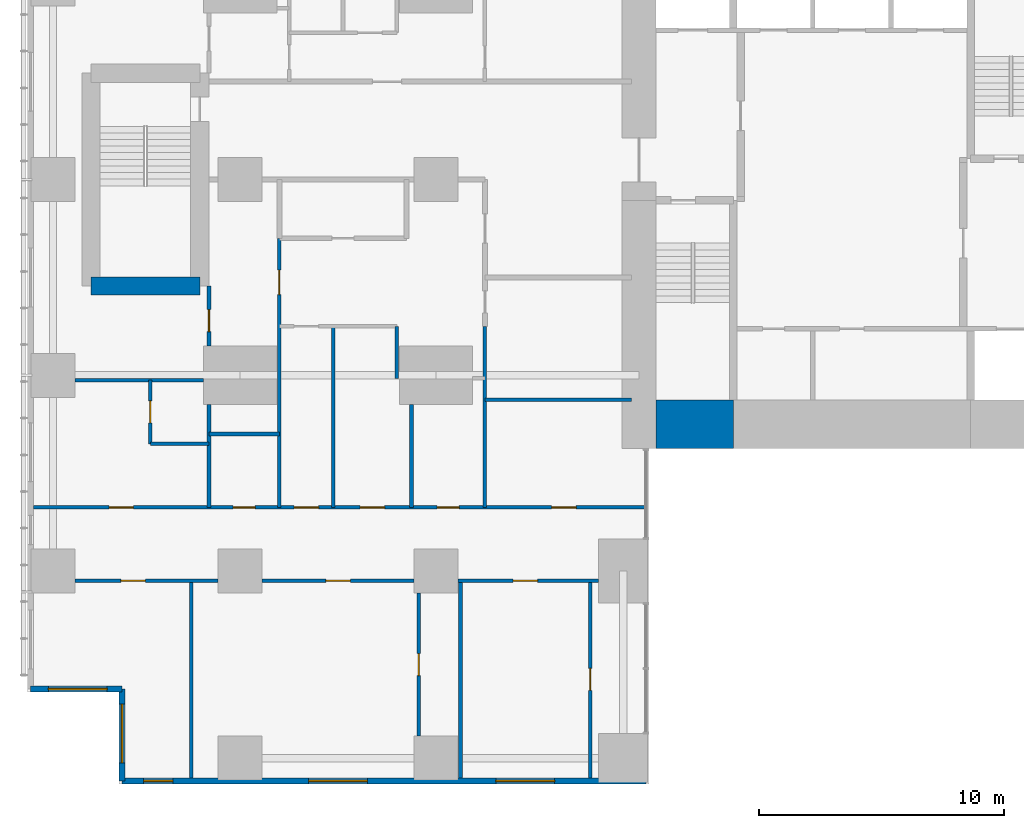
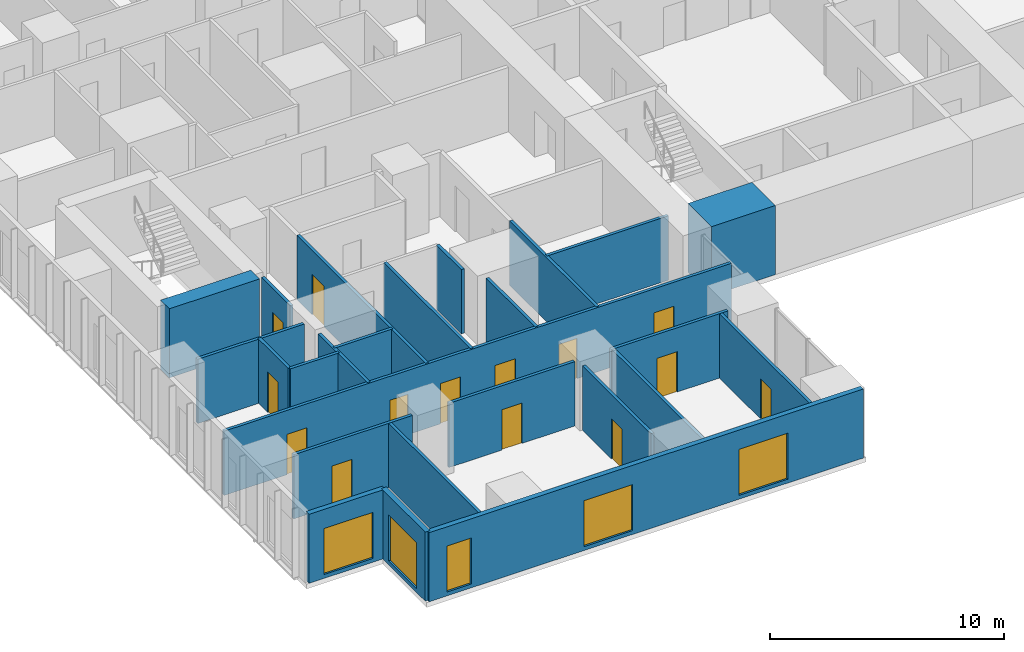
# One storey, part 12 of 20: 25 walls, 14 doors, 5 windows, 19 openings.
"""IFC4 building model written with IfcOpenShell, lengths in metres."""

from ifc_helpers import new_model, si_unit, direction, frame, frame_2d, origin, place, context, subcontext, project, spatial, rectangle, extrude, material, layer, layer_set, type_object, element, fill, save


model = new_model("IFC4")

# Units and contexts
model_context = context("Model", 3, precision=1e-05, world=origin(), true_north=direction((0.0, 1.0)))
body_context = subcontext(model_context, "Body", "Model", "MODEL_VIEW")
ifc_project = project(units=[si_unit("LENGTHUNIT", "METRE"), si_unit("AREAUNIT", "SQUARE_METRE"), si_unit("VOLUMEUNIT", "CUBIC_METRE"), si_unit("PLANEANGLEUNIT", "RADIAN"), si_unit("MASSUNIT", "GRAM", prefix="KILO")], contexts=[model_context])

# Site, building, storey
site_placement = place(None, origin())
site = spatial("IfcSite", under=ifc_project, at=site_placement, CompositionType="ELEMENT")
building_placement = place(site_placement, origin())
building = spatial("IfcBuilding", under=site, at=building_placement, Name="Cleftline Residences", CompositionType="ELEMENT")
storey_placement = place(building_placement, frame((0.0, 0.0, 185.800048828125)))
storey = spatial("IfcBuildingStorey", under=building, at=storey_placement, Name="L48", CompositionType="ELEMENT", Elevation=185.800048828125)

# Wall
ifc_material_1 = material(Name="Concrete B70", Category="concrete")
ifc_layer_1 = layer(ifc_material_1, 2.0)
ifc_layer_set_1 = layer_set([ifc_layer_1], Name="CORE WALL 2000")
wall_type_1 = type_object("IfcWallType", Name="CORE WALL 2000", PredefinedType="SHEAR", material=ifc_layer_set_1)
wall_1_placement = place(storey_placement, frame((25.0, 14.0, 0.0), z_axis=(0.0, 0.0, 1.0), x_axis=(1.0, 0.0, 0.0)))
element("IfcWall", 1, at=wall_1_placement, inside=storey, type_object=wall_type_1, Name="Core wall S1", PredefinedType="SHEAR", context=body_context, shape_type="SweptSolid", body=[
    extrude(rectangle(XDim=3.14990234375, YDim=2.0, at=frame_2d((1.574951171875, 0.0))), origin(), (0.0, 0.0, 1.0), 3.599853515625),
])

# Wall, opening, window
ifc_material_2 = material(Name="Rendered reinforced concrete blockwork", Category="masonry")
ifc_layer_2 = layer(ifc_material_2, 0.25)
ifc_layer_set_2 = layer_set([ifc_layer_2], Name="EXTERNAL WALL 250")
wall_type_2 = type_object("IfcWallType", Name="EXTERNAL WALL 250", PredefinedType="SOLIDWALL", material=ifc_layer_set_2)
wall_2_placement = place(storey_placement, frame((-0.574951171875, 3.175048828125, 0.0), z_axis=(0.0, 0.0, 1.0), x_axis=(1.0, 0.0, 0.0)))
wall_2 = element("IfcWall", 2, at=wall_2_placement, inside=storey, type_object=wall_type_2, Name="External wall", PredefinedType="SOLIDWALL", context=body_context, shape_type="SweptSolid", body=[
    extrude(rectangle(XDim=3.75, YDim=0.25, at=frame_2d((1.875, 0.0))), origin(), (0.0, 0.0, 1.0), 3.599853515625),
])
opening_1_placement = place(wall_2_placement, frame((0.737548828125, 0.0, 0.199951171875)))
opening_1 = element("IfcOpeningElement", 3, at=opening_1_placement, cuts=wall_2, Name="Opening W9", PredefinedType="OPENING", context=body_context, shape_type="SweptSolid", body=[
    extrude(rectangle(XDim=2.39990234375, YDim=2.39990234375, at=frame_2d((1.199951171875, 1.199951171875))), frame((0.0, 0.135009765625, 0.0), z_axis=(0.0, -1.0, 0.0), x_axis=(1.0, 0.0, 0.0)), (0.0, 0.0, 1.0), 0.27001953125),
])
ifc_material_3 = material(Name="Aluminium frame, clear double glazing", Category="aluminium")
window_type_1 = type_object("IfcWindowType", Name="WINDOW 2400X2400", PartitioningType="DOUBLE_PANEL_VERTICAL", PredefinedType="WINDOW", material=ifc_material_3)
window_1_placement = place(opening_1_placement, origin())
window_1 = element("IfcWindow", 4, at=window_1_placement, inside=storey, type_object=window_type_1, Name="Window", OverallHeight=2.39990234375, OverallWidth=2.39990234375, PartitioningType="SINGLE_PANEL", PredefinedType="WINDOW", context=body_context, shape_type="SweptSolid", body=[
    extrude(rectangle(XDim=2.39990234375, YDim=2.39990234375, at=frame_2d((1.199951171875, 1.199951171875))), frame((0.0, 0.030029296875, 0.0), z_axis=(0.0, -1.0, 0.0), x_axis=(1.0, 0.0, 0.0)), (0.0, 0.0, 1.0), 0.06005859375),
])
fill(opening_1, window_1)

wall_3_placement = place(storey_placement, frame((3.175048828125, 3.175048828125, 0.0), z_axis=(0.0, 0.0, 1.0), x_axis=(0.0, -1.0, 0.0)))
wall_3 = element("IfcWall", 5, at=wall_3_placement, inside=storey, type_object=wall_type_2, Name="External wall", PredefinedType="SOLIDWALL", context=body_context, shape_type="SweptSolid", body=[
    extrude(rectangle(XDim=3.75, YDim=0.25, at=frame_2d((1.875, 0.0))), origin(), (0.0, 0.0, 1.0), 3.599853515625),
])
opening_2_placement = place(wall_3_placement, frame((0.612548828125, 0.0, 0.199951171875)))
opening_2 = element("IfcOpeningElement", 6, at=opening_2_placement, cuts=wall_3, Name="Opening W9", PredefinedType="OPENING", context=body_context, shape_type="SweptSolid", body=[
    extrude(rectangle(XDim=2.39990234375, YDim=2.39990234375, at=frame_2d((1.199951171875, 1.199951171875))), frame((0.0, 0.135009765625, 0.0), z_axis=(0.0, -1.0, 0.0), x_axis=(1.0, 0.0, 0.0)), (0.0, 0.0, 1.0), 0.27001953125),
])
window_2_placement = place(opening_2_placement, origin())
window_2 = element("IfcWindow", 7, at=window_2_placement, inside=storey, type_object=window_type_1, Name="Window", OverallHeight=2.39990234375, OverallWidth=2.39990234375, PartitioningType="SINGLE_PANEL", PredefinedType="WINDOW", context=body_context, shape_type="SweptSolid", body=[
    extrude(rectangle(XDim=2.39990234375, YDim=2.39990234375, at=frame_2d((1.199951171875, 1.199951171875))), frame((0.0, 0.030029296875, 0.0), z_axis=(0.0, -1.0, 0.0), x_axis=(1.0, 0.0, 0.0)), (0.0, 0.0, 1.0), 0.06005859375),
])
fill(opening_2, window_2)

# Wall, openings, windows
wall_4_placement = place(storey_placement, frame((3.175048828125, -0.574951171875, 0.0), z_axis=(0.0, 0.0, 1.0), x_axis=(1.0, 0.0, 0.0)))
wall_4 = element("IfcWall", 8, at=wall_4_placement, inside=storey, type_object=wall_type_2, Name="External wall", PredefinedType="SOLIDWALL", context=body_context, shape_type="SweptSolid", body=[
    extrude(rectangle(XDim=21.39990234375, YDim=0.25, at=frame_2d((10.699951171875, 0.0))), origin(), (0.0, 0.0, 1.0), 3.599853515625),
])
opening_3_placement = place(wall_4_placement, frame((0.875, 0.0, 0.199951171875)))
opening_3 = element("IfcOpeningElement", 9, at=opening_3_placement, cuts=wall_4, Name="Opening W13", PredefinedType="OPENING", context=body_context, shape_type="SweptSolid", body=[
    extrude(rectangle(XDim=1.199951171875, YDim=2.39990234375, at=frame_2d((0.60009765625, 1.199951171875))), frame((0.0, 0.135009765625, 0.0), z_axis=(0.0, -1.0, 0.0), x_axis=(1.0, 0.0, 0.0)), (0.0, 0.0, 1.0), 0.27001953125),
])
opening_4_placement = place(wall_4_placement, frame((7.625, 0.0, 0.199951171875)))
opening_4 = element("IfcOpeningElement", 10, at=opening_4_placement, cuts=wall_4, Name="Opening W9", PredefinedType="OPENING", context=body_context, shape_type="SweptSolid", body=[
    extrude(rectangle(XDim=2.39990234375, YDim=2.39990234375, at=frame_2d((1.199951171875, 1.199951171875))), frame((0.0, 0.135009765625, 0.0), z_axis=(0.0, -1.0, 0.0), x_axis=(1.0, 0.0, 0.0)), (0.0, 0.0, 1.0), 0.27001953125),
])
opening_5_placement = place(wall_4_placement, frame((15.27490234375, 0.0, 0.199951171875)))
opening_5 = element("IfcOpeningElement", 11, at=opening_5_placement, cuts=wall_4, Name="Opening W9", PredefinedType="OPENING", context=body_context, shape_type="SweptSolid", body=[
    extrude(rectangle(XDim=2.39990234375, YDim=2.39990234375, at=frame_2d((1.199951171875, 1.199951171875))), frame((0.0, 0.135009765625, 0.0), z_axis=(0.0, -1.0, 0.0), x_axis=(1.0, 0.0, 0.0)), (0.0, 0.0, 1.0), 0.27001953125),
])
ifc_material_4 = material(Name="Aluminium frame, clear double glazing", Category="aluminium")
window_type_2 = type_object("IfcWindowType", Name="WINDOW 1200X2400", PartitioningType="DOUBLE_PANEL_VERTICAL", PredefinedType="WINDOW", material=ifc_material_4)
window_3_placement = place(opening_3_placement, origin())
window_3 = element("IfcWindow", 12, at=window_3_placement, inside=storey, type_object=window_type_2, Name="Window", OverallHeight=2.39990234375, OverallWidth=1.199951171875, PartitioningType="SINGLE_PANEL", PredefinedType="WINDOW", context=body_context, shape_type="SweptSolid", body=[
    extrude(rectangle(XDim=1.199951171875, YDim=2.39990234375, at=frame_2d((0.60009765625, 1.199951171875))), frame((0.0, 0.030029296875, 0.0), z_axis=(0.0, -1.0, 0.0), x_axis=(1.0, 0.0, 0.0)), (0.0, 0.0, 1.0), 0.06005859375),
])
fill(opening_3, window_3)
window_4_placement = place(opening_4_placement, origin())
window_4 = element("IfcWindow", 13, at=window_4_placement, inside=storey, type_object=window_type_1, Name="Window", OverallHeight=2.39990234375, OverallWidth=2.39990234375, PartitioningType="SINGLE_PANEL", PredefinedType="WINDOW", context=body_context, shape_type="SweptSolid", body=[
    extrude(rectangle(XDim=2.39990234375, YDim=2.39990234375, at=frame_2d((1.199951171875, 1.199951171875))), frame((0.0, 0.030029296875, 0.0), z_axis=(0.0, -1.0, 0.0), x_axis=(1.0, 0.0, 0.0)), (0.0, 0.0, 1.0), 0.06005859375),
])
fill(opening_4, window_4)
window_5_placement = place(opening_5_placement, origin())
window_5 = element("IfcWindow", 14, at=window_5_placement, inside=storey, type_object=window_type_1, Name="Window", OverallHeight=2.39990234375, OverallWidth=2.39990234375, PartitioningType="SINGLE_PANEL", PredefinedType="WINDOW", context=body_context, shape_type="SweptSolid", body=[
    extrude(rectangle(XDim=2.39990234375, YDim=2.39990234375, at=frame_2d((1.199951171875, 1.199951171875))), frame((0.0, 0.030029296875, 0.0), z_axis=(0.0, -1.0, 0.0), x_axis=(1.0, 0.0, 0.0)), (0.0, 0.0, 1.0), 0.06005859375),
])
fill(opening_5, window_5)

# Wall, opening, door
ifc_material_5 = material(Name="Gypsum board on steel studs", Category="steel")
ifc_layer_3 = layer(ifc_material_5, 0.14990234375)
ifc_layer_set_3 = layer_set([ifc_layer_3], Name="PARTITION 150")
wall_type_3 = type_object("IfcWallType", Name="PARTITION 150", PredefinedType="PARTITIONING", material=ifc_layer_set_3)
wall_5_placement = place(storey_placement, frame((1.25, 7.60009765625, 0.0), z_axis=(0.0, 0.0, 1.0), x_axis=(1.0, 0.0, 0.0)))
wall_5 = element("IfcWall", 15, at=wall_5_placement, inside=storey, type_object=wall_type_3, Name="Partition", PredefinedType="PARTITIONING", context=body_context, shape_type="SweptSolid", body=[
    extrude(rectangle(XDim=5.85009765625, YDim=0.14990234375, at=frame_2d((2.925048828125, 0.0))), origin(), (0.0, 0.0, 1.0), 3.349853515625),
])
opening_6_placement = place(wall_5_placement, frame((1.875, 0.0, 0.0)))
opening_6 = element("IfcOpeningElement", 16, at=opening_6_placement, cuts=wall_5, Name="Opening D2", PredefinedType="OPENING", context=body_context, shape_type="SweptSolid", body=[
    extrude(rectangle(XDim=1.0, YDim=2.10009765625, at=frame_2d((0.5, 1.050048828125))), frame((0.0, 0.0849609375, 0.0), z_axis=(0.0, -1.0, 0.0), x_axis=(1.0, 0.0, 0.0)), (0.0, 0.0, 1.0), 0.169921875),
])
ifc_material_6 = material(Name="Timber veneer on solid core", Category="wood")
door_type_1 = type_object("IfcDoorType", Name="DOOR 1000X2100", OperationType="SINGLE_SWING_LEFT", PredefinedType="DOOR", material=ifc_material_6)
door_1_placement = place(opening_6_placement, origin())
door_1 = element("IfcDoor", 17, at=door_1_placement, inside=storey, type_object=door_type_1, Name="Door to winter garden", OperationType="SINGLE_SWING_RIGHT", OverallHeight=2.10009765625, OverallWidth=1.0, PredefinedType="DOOR", context=body_context, shape_type="SweptSolid", body=[
    extrude(rectangle(XDim=1.0, YDim=2.10009765625, at=frame_2d((0.5, 1.050048828125))), frame((0.0, 0.02490234375, 0.0), z_axis=(0.0, -1.0, 0.0), x_axis=(1.0, 0.0, 0.0)), (0.0, 0.0, 1.0), 0.050048828125),
])
fill(opening_6, door_1)

wall_6_placement = place(storey_placement, frame((8.89990234375, 7.60009765625, 0.0), z_axis=(0.0, 0.0, 1.0), x_axis=(1.0, 0.0, 0.0)))
wall_6 = element("IfcWall", 18, at=wall_6_placement, inside=storey, type_object=wall_type_3, Name="Partition", PredefinedType="PARTITIONING", context=body_context, shape_type="SweptSolid", body=[
    extrude(rectangle(XDim=6.2001953125, YDim=0.14990234375, at=frame_2d((3.10009765625, 0.0))), origin(), (0.0, 0.0, 1.0), 3.349853515625),
])
opening_7_placement = place(wall_6_placement, frame((2.60009765625, 0.0, 0.0)))
opening_7 = element("IfcOpeningElement", 19, at=opening_7_placement, cuts=wall_6, Name="Opening D2", PredefinedType="OPENING", context=body_context, shape_type="SweptSolid", body=[
    extrude(rectangle(XDim=1.0, YDim=2.10009765625, at=frame_2d((0.5, 1.050048828125))), frame((0.0, 0.0849609375, 0.0), z_axis=(0.0, -1.0, 0.0), x_axis=(1.0, 0.0, 0.0)), (0.0, 0.0, 1.0), 0.169921875),
])
door_2_placement = place(opening_7_placement, origin())
door_2 = element("IfcDoor", 20, at=door_2_placement, inside=storey, type_object=door_type_1, Name="Door to great room", OperationType="SINGLE_SWING_LEFT", OverallHeight=2.10009765625, OverallWidth=1.0, PredefinedType="DOOR", context=body_context, shape_type="SweptSolid", body=[
    extrude(rectangle(XDim=1.0, YDim=2.10009765625, at=frame_2d((0.5, 1.050048828125))), frame((0.0, 0.02490234375, 0.0), z_axis=(0.0, -1.0, 0.0), x_axis=(1.0, 0.0, 0.0)), (0.0, 0.0, 1.0), 0.050048828125),
])
fill(opening_7, door_2)

wall_7_placement = place(storey_placement, frame((16.89990234375, 7.60009765625, 0.0), z_axis=(0.0, 0.0, 1.0), x_axis=(1.0, 0.0, 0.0)))
wall_7 = element("IfcWall", 21, at=wall_7_placement, inside=storey, type_object=wall_type_3, Name="Partition", PredefinedType="PARTITIONING", context=body_context, shape_type="SweptSolid", body=[
    extrude(rectangle(XDim=5.75, YDim=0.14990234375, at=frame_2d((2.875, 0.0))), origin(), (0.0, 0.0, 1.0), 3.349853515625),
])
opening_8_placement = place(wall_7_placement, frame((2.25, 0.0, 0.0)))
opening_8 = element("IfcOpeningElement", 22, at=opening_8_placement, cuts=wall_7, Name="Opening D2", PredefinedType="OPENING", context=body_context, shape_type="SweptSolid", body=[
    extrude(rectangle(XDim=1.0, YDim=2.10009765625, at=frame_2d((0.5, 1.050048828125))), frame((0.0, 0.0849609375, 0.0), z_axis=(0.0, -1.0, 0.0), x_axis=(1.0, 0.0, 0.0)), (0.0, 0.0, 1.0), 0.169921875),
])
door_3_placement = place(opening_8_placement, origin())
door_3 = element("IfcDoor", 23, at=door_3_placement, inside=storey, type_object=door_type_1, Name="Door to show kitchen", OperationType="SINGLE_SWING_RIGHT", OverallHeight=2.10009765625, OverallWidth=1.0, PredefinedType="DOOR", context=body_context, shape_type="SweptSolid", body=[
    extrude(rectangle(XDim=1.0, YDim=2.10009765625, at=frame_2d((0.5, 1.050048828125))), frame((0.0, 0.02490234375, 0.0), z_axis=(0.0, -1.0, 0.0), x_axis=(1.0, 0.0, 0.0)), (0.0, 0.0, 1.0), 0.050048828125),
])
fill(opening_8, door_3)

# Wall, openings, doors
wall_8_placement = place(storey_placement, frame((-0.449951171875, 10.60009765625, 0.0), z_axis=(0.0, 0.0, 1.0), x_axis=(1.0, 0.0, 0.0)))
wall_8 = element("IfcWall", 24, at=wall_8_placement, inside=storey, type_object=wall_type_3, Name="Partition", PredefinedType="PARTITIONING", context=body_context, shape_type="SweptSolid", body=[
    extrude(rectangle(XDim=25.010986328125, YDim=0.14990234375, at=frame_2d((12.50537109375, 0.0))), origin(), (0.0, 0.0, 1.0), 3.349853515625),
])
opening_9_placement = place(wall_8_placement, frame((10.64990234375, 0.0, 0.0)))
opening_9 = element("IfcOpeningElement", 25, at=opening_9_placement, cuts=wall_8, Name="Opening D2", PredefinedType="OPENING", context=body_context, shape_type="SweptSolid", body=[
    extrude(rectangle(XDim=1.0, YDim=2.10009765625, at=frame_2d((0.5, 1.050048828125))), frame((0.0, 0.0849609375, 0.0), z_axis=(0.0, -1.0, 0.0), x_axis=(1.0, 0.0, 0.0)), (0.0, 0.0, 1.0), 0.169921875),
])
opening_10_placement = place(wall_8_placement, frame((3.08740234375, 0.0, 0.0)))
opening_10 = element("IfcOpeningElement", 26, at=opening_10_placement, cuts=wall_8, Name="Opening D2", PredefinedType="OPENING", context=body_context, shape_type="SweptSolid", body=[
    extrude(rectangle(XDim=1.0, YDim=2.10009765625, at=frame_2d((0.5, 1.050048828125))), frame((0.0, 0.0849609375, 0.0), z_axis=(0.0, -1.0, 0.0), x_axis=(1.0, 0.0, 0.0)), (0.0, 0.0, 1.0), 0.169921875),
])
opening_11_placement = place(wall_8_placement, frame((8.16259765625, 0.0, 0.0)))
opening_11 = element("IfcOpeningElement", 27, at=opening_11_placement, cuts=wall_8, Name="Opening D1", PredefinedType="OPENING", context=body_context, shape_type="SweptSolid", body=[
    extrude(rectangle(XDim=0.89990234375, YDim=2.10009765625, at=frame_2d((0.449951171875, 1.050048828125))), frame((0.0, 0.0849609375, 0.0), z_axis=(0.0, -1.0, 0.0), x_axis=(1.0, 0.0, 0.0)), (0.0, 0.0, 1.0), 0.169921875),
])
opening_12_placement = place(wall_8_placement, frame((13.35009765625, 0.0, 0.0)))
opening_12 = element("IfcOpeningElement", 28, at=opening_12_placement, cuts=wall_8, Name="Opening D2", PredefinedType="OPENING", context=body_context, shape_type="SweptSolid", body=[
    extrude(rectangle(XDim=1.0, YDim=2.10009765625, at=frame_2d((0.5, 1.050048828125))), frame((0.0, 0.0849609375, 0.0), z_axis=(0.0, -1.0, 0.0), x_axis=(1.0, 0.0, 0.0)), (0.0, 0.0, 1.0), 0.169921875),
])
opening_13_placement = place(wall_8_placement, frame((16.5, 0.0, 0.0)))
opening_13 = element("IfcOpeningElement", 29, at=opening_13_placement, cuts=wall_8, Name="Opening D1", PredefinedType="OPENING", context=body_context, shape_type="SweptSolid", body=[
    extrude(rectangle(XDim=0.89990234375, YDim=2.10009765625, at=frame_2d((0.449951171875, 1.050048828125))), frame((0.0, 0.0849609375, 0.0), z_axis=(0.0, -1.0, 0.0), x_axis=(1.0, 0.0, 0.0)), (0.0, 0.0, 1.0), 0.169921875),
])
opening_14_placement = place(wall_8_placement, frame((21.175048828125, 0.0, 0.0)))
opening_14 = element("IfcOpeningElement", 30, at=opening_14_placement, cuts=wall_8, Name="Opening D2", PredefinedType="OPENING", context=body_context, shape_type="SweptSolid", body=[
    extrude(rectangle(XDim=1.0, YDim=2.10009765625, at=frame_2d((0.5, 1.050048828125))), frame((0.0, 0.0849609375, 0.0), z_axis=(0.0, -1.0, 0.0), x_axis=(1.0, 0.0, 0.0)), (0.0, 0.0, 1.0), 0.169921875),
])
door_4_placement = place(opening_9_placement, origin())
door_4 = element("IfcDoor", 31, at=door_4_placement, inside=storey, type_object=door_type_1, Name="Door to residence hall", OperationType="SINGLE_SWING_RIGHT", OverallHeight=2.10009765625, OverallWidth=1.0, PredefinedType="DOOR", context=body_context, shape_type="SweptSolid", body=[
    extrude(rectangle(XDim=1.0, YDim=2.10009765625, at=frame_2d((0.5, 1.050048828125))), frame((0.0, 0.02490234375, 0.0), z_axis=(0.0, -1.0, 0.0), x_axis=(1.0, 0.0, 0.0)), (0.0, 0.0, 1.0), 0.050048828125),
])
fill(opening_9, door_4)
door_5_placement = place(opening_10_placement, origin())
door_5 = element("IfcDoor", 32, at=door_5_placement, inside=storey, type_object=door_type_1, Name="Door to guest bedroom", OperationType="SINGLE_SWING_RIGHT", OverallHeight=2.10009765625, OverallWidth=1.0, PredefinedType="DOOR", context=body_context, shape_type="SweptSolid", body=[
    extrude(rectangle(XDim=1.0, YDim=2.10009765625, at=frame_2d((0.5, 1.050048828125))), frame((0.0, 0.02490234375, 0.0), z_axis=(0.0, -1.0, 0.0), x_axis=(1.0, 0.0, 0.0)), (0.0, 0.0, 1.0), 0.050048828125),
])
fill(opening_10, door_5)
door_6_placement = place(opening_12_placement, origin())
door_6 = element("IfcDoor", 33, at=door_6_placement, inside=storey, type_object=door_type_1, Name="Door to wet kitchen", OperationType="SINGLE_SWING_LEFT", OverallHeight=2.10009765625, OverallWidth=1.0, PredefinedType="DOOR", context=body_context, shape_type="SweptSolid", body=[
    extrude(rectangle(XDim=1.0, YDim=2.10009765625, at=frame_2d((0.5, 1.050048828125))), frame((0.0, 0.02490234375, 0.0), z_axis=(0.0, -1.0, 0.0), x_axis=(1.0, 0.0, 0.0)), (0.0, 0.0, 1.0), 0.050048828125),
])
fill(opening_12, door_6)
door_7_placement = place(opening_14_placement, origin())
door_7 = element("IfcDoor", 34, at=door_7_placement, inside=storey, type_object=door_type_1, Name="Door to breakfast room", OperationType="SINGLE_SWING_LEFT", OverallHeight=2.10009765625, OverallWidth=1.0, PredefinedType="DOOR", context=body_context, shape_type="SweptSolid", body=[
    extrude(rectangle(XDim=1.0, YDim=2.10009765625, at=frame_2d((0.5, 1.050048828125))), frame((0.0, 0.02490234375, 0.0), z_axis=(0.0, -1.0, 0.0), x_axis=(1.0, 0.0, 0.0)), (0.0, 0.0, 1.0), 0.050048828125),
])
fill(opening_14, door_7)
ifc_material_7 = material(Name="Timber veneer on solid core", Category="wood")
door_type_2 = type_object("IfcDoorType", Name="DOOR 900X2100", OperationType="SINGLE_SWING_LEFT", PredefinedType="DOOR", material=ifc_material_7)
door_8_placement = place(opening_11_placement, origin())
door_8 = element("IfcDoor", 35, at=door_8_placement, inside=storey, type_object=door_type_2, Name="Door to coat store", OperationType="SINGLE_SWING_RIGHT", OverallHeight=2.10009765625, OverallWidth=0.89990234375, PredefinedType="DOOR", context=body_context, shape_type="SweptSolid", body=[
    extrude(rectangle(XDim=0.89990234375, YDim=2.10009765625, at=frame_2d((0.449951171875, 1.050048828125))), frame((0.0, 0.02490234375, 0.0), z_axis=(0.0, -1.0, 0.0), x_axis=(1.0, 0.0, 0.0)), (0.0, 0.0, 1.0), 0.050048828125),
])
fill(opening_11, door_8)
door_9_placement = place(opening_13_placement, origin())
door_9 = element("IfcDoor", 36, at=door_9_placement, inside=storey, type_object=door_type_2, Name="Door to pantry", OperationType="SINGLE_SWING_LEFT", OverallHeight=2.10009765625, OverallWidth=0.89990234375, PredefinedType="DOOR", context=body_context, shape_type="SweptSolid", body=[
    extrude(rectangle(XDim=0.89990234375, YDim=2.10009765625, at=frame_2d((0.449951171875, 1.050048828125))), frame((0.0, 0.02490234375, 0.0), z_axis=(0.0, -1.0, 0.0), x_axis=(1.0, 0.0, 0.0)), (0.0, 0.0, 1.0), 0.050048828125),
])
fill(opening_13, door_9)

# Walls
wall_9_placement = place(storey_placement, frame((4.324951171875, 13.199951171875, 0.0), z_axis=(0.0, 0.0, 1.0), x_axis=(1.0, 0.0, 0.0)))
element("IfcWall", 37, at=wall_9_placement, inside=storey, type_object=wall_type_3, Name="Partition", PredefinedType="PARTITIONING", context=body_context, shape_type="SweptSolid", body=[
    extrude(rectangle(XDim=2.400146484375, YDim=0.14990234375, at=frame_2d((1.2001953125, 0.0))), origin(), (0.0, 0.0, 1.0), 3.349853515625),
])
wall_10_placement = place(storey_placement, frame((6.72509765625, 13.60009765625, 0.0), z_axis=(0.0, 0.0, 1.0), x_axis=(1.0, 0.0, 0.0)))
element("IfcWall", 38, at=wall_10_placement, inside=storey, type_object=wall_type_3, Name="Partition", PredefinedType="PARTITIONING", context=body_context, shape_type="SweptSolid", body=[
    extrude(rectangle(XDim=2.875, YDim=0.14990234375, at=frame_2d((1.4375, 0.0))), origin(), (0.0, 0.0, 1.0), 3.349853515625),
])
wall_11_placement = place(storey_placement, frame((18.0, 15.0, 0.0), z_axis=(0.0, 0.0, 1.0), x_axis=(1.0, 0.0, 0.0)))
element("IfcWall", 39, at=wall_11_placement, inside=storey, type_object=wall_type_3, Name="Partition", PredefinedType="PARTITIONING", context=body_context, shape_type="SweptSolid", body=[
    extrude(rectangle(XDim=6.0, YDim=0.14990234375, at=frame_2d((3.0, 0.0))), origin(), (0.0, 0.0, 1.0), 3.349853515625),
])
wall_12_placement = place(storey_placement, frame((1.25, 15.800048828125, 0.0), z_axis=(0.0, 0.0, 1.0), x_axis=(1.0, 0.0, 0.0)))
element("IfcWall", 40, at=wall_12_placement, inside=storey, type_object=wall_type_3, Name="Partition", PredefinedType="PARTITIONING", context=body_context, shape_type="SweptSolid", body=[
    extrude(rectangle(XDim=5.25, YDim=0.14990234375, at=frame_2d((2.625, 0.0))), origin(), (0.0, 0.0, 1.0), 3.349853515625),
])

# Wall, opening, door
wall_13_placement = place(storey_placement, frame((4.324951171875, 13.199951171875, 0.0), z_axis=(0.0, 0.0, 1.0), x_axis=(0.0, 1.0, 0.0)))
wall_13 = element("IfcWall", 41, at=wall_13_placement, inside=storey, type_object=wall_type_3, Name="Partition", PredefinedType="PARTITIONING", context=body_context, shape_type="SweptSolid", body=[
    extrude(rectangle(XDim=2.60009765625, YDim=0.14990234375, at=frame_2d((1.300048828125, 0.0))), origin(), (0.0, 0.0, 1.0), 3.349853515625),
])
opening_15_placement = place(wall_13_placement, frame((0.85009765625, 0.0, 0.0)))
opening_15 = element("IfcOpeningElement", 42, at=opening_15_placement, cuts=wall_13, Name="Opening D1", PredefinedType="OPENING", context=body_context, shape_type="SweptSolid", body=[
    extrude(rectangle(XDim=0.89990234375, YDim=2.10009765625, at=frame_2d((0.449951171875, 1.050048828125))), frame((0.0, 0.0849609375, 0.0), z_axis=(0.0, -1.0, 0.0), x_axis=(1.0, 0.0, 0.0)), (0.0, 0.0, 1.0), 0.169921875),
])
door_10_placement = place(opening_15_placement, origin())
door_10 = element("IfcDoor", 43, at=door_10_placement, inside=storey, type_object=door_type_2, Name="Door to guest bathroom", OperationType="SINGLE_SWING_LEFT", OverallHeight=2.10009765625, OverallWidth=0.89990234375, PredefinedType="DOOR", context=body_context, shape_type="SweptSolid", body=[
    extrude(rectangle(XDim=0.89990234375, YDim=2.10009765625, at=frame_2d((0.449951171875, 1.050048828125))), frame((0.0, 0.02490234375, 0.0), z_axis=(0.0, -1.0, 0.0), x_axis=(1.0, 0.0, 0.0)), (0.0, 0.0, 1.0), 0.050048828125),
])
fill(opening_15, door_10)

# Walls
wall_14_placement = place(storey_placement, frame((6.0, -0.449951171875, 0.0), z_axis=(0.0, 0.0, 1.0), x_axis=(0.0, 1.0, 0.0)))
element("IfcWall", 44, at=wall_14_placement, inside=storey, type_object=wall_type_3, Name="Partition", PredefinedType="PARTITIONING", context=body_context, shape_type="SweptSolid", body=[
    extrude(rectangle(XDim=8.050048828125, YDim=0.14990234375, at=frame_2d((4.02490234375, 0.0))), origin(), (0.0, 0.0, 1.0), 3.349853515625),
])
wall_15_placement = place(storey_placement, frame((6.72509765625, 10.60009765625, 0.0), z_axis=(0.0, 0.0, 1.0), x_axis=(0.0, 1.0, 0.0)))
element("IfcWall", 45, at=wall_15_placement, inside=storey, type_object=wall_type_3, Name="Partition", PredefinedType="PARTITIONING", context=body_context, shape_type="SweptSolid", body=[
    extrude(rectangle(XDim=4.199951171875, YDim=0.14990234375, at=frame_2d((2.10009765625, 0.0))), origin(), (0.0, 0.0, 1.0), 3.349853515625),
])

# Wall, opening, door
wall_16_placement = place(storey_placement, frame((6.72509765625, 17.199951171875, 0.0), z_axis=(0.0, 0.0, 1.0), x_axis=(0.0, 1.0, 0.0)))
wall_16 = element("IfcWall", 46, at=wall_16_placement, inside=storey, type_object=wall_type_3, Name="Partition", PredefinedType="PARTITIONING", context=body_context, shape_type="SweptSolid", body=[
    extrude(rectangle(XDim=2.449951171875, YDim=0.14990234375, at=frame_2d((1.22509765625, 0.0))), origin(), (0.0, 0.0, 1.0), 3.349853515625),
])
opening_16_placement = place(wall_16_placement, frame((0.58740234375, 0.0, 0.0)))
opening_16 = element("IfcOpeningElement", 47, at=opening_16_placement, cuts=wall_16, Name="Opening D1", PredefinedType="OPENING", context=body_context, shape_type="SweptSolid", body=[
    extrude(rectangle(XDim=0.89990234375, YDim=2.10009765625, at=frame_2d((0.449951171875, 1.050048828125))), frame((0.0, 0.0849609375, 0.0), z_axis=(0.0, -1.0, 0.0), x_axis=(1.0, 0.0, 0.0)), (0.0, 0.0, 1.0), 0.169921875),
])
door_11_placement = place(opening_16_placement, origin())
door_11 = element("IfcDoor", 48, at=door_11_placement, inside=storey, type_object=door_type_2, Name="Door to drying loggia", OperationType="SINGLE_SWING_RIGHT", OverallHeight=2.10009765625, OverallWidth=0.89990234375, PredefinedType="DOOR", context=body_context, shape_type="SweptSolid", body=[
    extrude(rectangle(XDim=0.89990234375, YDim=2.10009765625, at=frame_2d((0.449951171875, 1.050048828125))), frame((0.0, 0.02490234375, 0.0), z_axis=(0.0, -1.0, 0.0), x_axis=(1.0, 0.0, 0.0)), (0.0, 0.0, 1.0), 0.050048828125),
])
fill(opening_16, door_11)

wall_17_placement = place(storey_placement, frame((9.60009765625, 10.60009765625, 0.0), z_axis=(0.0, 0.0, 1.0), x_axis=(0.0, 1.0, 0.0)))
wall_17 = element("IfcWall", 49, at=wall_17_placement, inside=storey, type_object=wall_type_3, Name="Partition", PredefinedType="PARTITIONING", context=body_context, shape_type="SweptSolid", body=[
    extrude(rectangle(XDim=11.0, YDim=0.14990234375, at=frame_2d((5.5, 0.0))), origin(), (0.0, 0.0, 1.0), 3.349853515625),
])
opening_17_placement = place(wall_17_placement, frame((8.699951171875, 0.0, 0.0)))
opening_17 = element("IfcOpeningElement", 50, at=opening_17_placement, cuts=wall_17, Name="Opening D2F30", PredefinedType="OPENING", context=body_context, shape_type="SweptSolid", body=[
    extrude(rectangle(XDim=1.0, YDim=2.10009765625, at=frame_2d((0.5, 1.050048828125))), frame((0.0, 0.0849609375, 0.0), z_axis=(0.0, -1.0, 0.0), x_axis=(1.0, 0.0, 0.0)), (0.0, 0.0, 1.0), 0.169921875),
])
ifc_material_8 = material(Name="Timber veneer on solid core", Category="wood")
door_type_3 = type_object("IfcDoorType", Name="DOOR 1000X2100 EI 30", OperationType="SINGLE_SWING_LEFT", PredefinedType="DOOR", material=ifc_material_8)
door_12_placement = place(opening_17_placement, origin())
door_12 = element("IfcDoor", 51, at=door_12_placement, inside=storey, type_object=door_type_3, Name="Door to residence lobby", OperationType="SINGLE_SWING_LEFT", OverallHeight=2.10009765625, OverallWidth=1.0, PredefinedType="DOOR", context=body_context, shape_type="SweptSolid", body=[
    extrude(rectangle(XDim=1.0, YDim=2.10009765625, at=frame_2d((0.5, 1.050048828125))), frame((0.0, 0.02490234375, 0.0), z_axis=(0.0, -1.0, 0.0), x_axis=(1.0, 0.0, 0.0)), (0.0, 0.0, 1.0), 0.050048828125),
])
fill(opening_17, door_12)

# Walls
wall_18_placement = place(storey_placement, frame((11.800048828125, 10.60009765625, 0.0), z_axis=(0.0, 0.0, 1.0), x_axis=(0.0, 1.0, 0.0)))
element("IfcWall", 52, at=wall_18_placement, inside=storey, type_object=wall_type_3, Name="Partition", PredefinedType="PARTITIONING", context=body_context, shape_type="SweptSolid", body=[
    extrude(rectangle(XDim=7.39990234375, YDim=0.14990234375, at=frame_2d((3.699951171875, 0.0))), origin(), (0.0, 0.0, 1.0), 3.349853515625),
])
wall_19_placement = place(storey_placement, frame((14.39990234375, 15.875, 0.0), z_axis=(0.0, 0.0, 1.0), x_axis=(0.0, 1.0, 0.0)))
element("IfcWall", 53, at=wall_19_placement, inside=storey, type_object=wall_type_3, Name="Partition", PredefinedType="PARTITIONING", context=body_context, shape_type="SweptSolid", body=[
    extrude(rectangle(XDim=2.125, YDim=0.14990234375, at=frame_2d((1.0625, 0.0))), origin(), (0.0, 0.0, 1.0), 3.349853515625),
])
wall_20_placement = place(storey_placement, frame((15.0, 10.60009765625, 0.0), z_axis=(0.0, 0.0, 1.0), x_axis=(0.0, 1.0, 0.0)))
element("IfcWall", 54, at=wall_20_placement, inside=storey, type_object=wall_type_3, Name="Partition", PredefinedType="PARTITIONING", context=body_context, shape_type="SweptSolid", body=[
    extrude(rectangle(XDim=4.199951171875, YDim=0.14990234375, at=frame_2d((2.10009765625, 0.0))), origin(), (0.0, 0.0, 1.0), 3.349853515625),
])

# Wall, opening, door
wall_21_placement = place(storey_placement, frame((15.300048828125, 1.25, 0.0), z_axis=(0.0, 0.0, 1.0), x_axis=(0.0, 1.0, 0.0)))
wall_21 = element("IfcWall", 55, at=wall_21_placement, inside=storey, type_object=wall_type_3, Name="Partition", PredefinedType="PARTITIONING", context=body_context, shape_type="SweptSolid", body=[
    extrude(rectangle(XDim=5.85009765625, YDim=0.14990234375, at=frame_2d((2.925048828125, 0.0))), origin(), (0.0, 0.0, 1.0), 3.349853515625),
])
opening_18_placement = place(wall_21_placement, frame((2.47509765625, 0.0, 0.0)))
opening_18 = element("IfcOpeningElement", 56, at=opening_18_placement, cuts=wall_21, Name="Opening D1", PredefinedType="OPENING", context=body_context, shape_type="SweptSolid", body=[
    extrude(rectangle(XDim=0.89990234375, YDim=2.10009765625, at=frame_2d((0.449951171875, 1.050048828125))), frame((0.0, 0.0849609375, 0.0), z_axis=(0.0, -1.0, 0.0), x_axis=(1.0, 0.0, 0.0)), (0.0, 0.0, 1.0), 0.169921875),
])
door_13_placement = place(opening_18_placement, origin())
door_13 = element("IfcDoor", 57, at=door_13_placement, inside=storey, type_object=door_type_2, Name="Door to store room", OperationType="SINGLE_SWING_LEFT", OverallHeight=2.10009765625, OverallWidth=0.89990234375, PredefinedType="DOOR", context=body_context, shape_type="SweptSolid", body=[
    extrude(rectangle(XDim=0.89990234375, YDim=2.10009765625, at=frame_2d((0.449951171875, 1.050048828125))), frame((0.0, 0.02490234375, 0.0), z_axis=(0.0, -1.0, 0.0), x_axis=(1.0, 0.0, 0.0)), (0.0, 0.0, 1.0), 0.050048828125),
])
fill(opening_18, door_13)

# Walls
wall_22_placement = place(storey_placement, frame((17.0, -0.449951171875, 0.0), z_axis=(0.0, 0.0, 1.0), x_axis=(0.0, 1.0, 0.0)))
element("IfcWall", 58, at=wall_22_placement, inside=storey, type_object=wall_type_3, Name="Partition", PredefinedType="PARTITIONING", context=body_context, shape_type="SweptSolid", body=[
    extrude(rectangle(XDim=8.050048828125, YDim=0.14990234375, at=frame_2d((4.02490234375, 0.0))), origin(), (0.0, 0.0, 1.0), 3.349853515625),
])
wall_23_placement = place(storey_placement, frame((18.0, 10.60009765625, 0.0), z_axis=(0.0, 0.0, 1.0), x_axis=(0.0, 1.0, 0.0)))
element("IfcWall", 59, at=wall_23_placement, inside=storey, type_object=wall_type_3, Name="Partition", PredefinedType="PARTITIONING", context=body_context, shape_type="SweptSolid", body=[
    extrude(rectangle(XDim=7.39990234375, YDim=0.14990234375, at=frame_2d((3.699951171875, 0.0))), origin(), (0.0, 0.0, 1.0), 3.349853515625),
])

# Wall, opening, door
wall_24_placement = place(storey_placement, frame((22.300048828125, -0.449951171875, 0.0), z_axis=(0.0, 0.0, 1.0), x_axis=(0.0, 1.0, 0.0)))
wall_24 = element("IfcWall", 60, at=wall_24_placement, inside=storey, type_object=wall_type_3, Name="Partition", PredefinedType="PARTITIONING", context=body_context, shape_type="SweptSolid", body=[
    extrude(rectangle(XDim=8.050048828125, YDim=0.14990234375, at=frame_2d((4.02490234375, 0.0))), origin(), (0.0, 0.0, 1.0), 3.349853515625),
])
opening_19_placement = place(wall_24_placement, frame((3.574951171875, 0.0, 0.0)))
opening_19 = element("IfcOpeningElement", 61, at=opening_19_placement, cuts=wall_24, Name="Opening D1", PredefinedType="OPENING", context=body_context, shape_type="SweptSolid", body=[
    extrude(rectangle(XDim=0.89990234375, YDim=2.10009765625, at=frame_2d((0.449951171875, 1.050048828125))), frame((0.0, 0.0849609375, 0.0), z_axis=(0.0, -1.0, 0.0), x_axis=(1.0, 0.0, 0.0)), (0.0, 0.0, 1.0), 0.169921875),
])
door_14_placement = place(opening_19_placement, origin())
door_14 = element("IfcDoor", 62, at=door_14_placement, inside=storey, type_object=door_type_2, Name="Door to larder", OperationType="SINGLE_SWING_LEFT", OverallHeight=2.10009765625, OverallWidth=0.89990234375, PredefinedType="DOOR", context=body_context, shape_type="SweptSolid", body=[
    extrude(rectangle(XDim=0.89990234375, YDim=2.10009765625, at=frame_2d((0.449951171875, 1.050048828125))), frame((0.0, 0.02490234375, 0.0), z_axis=(0.0, -1.0, 0.0), x_axis=(1.0, 0.0, 0.0)), (0.0, 0.0, 1.0), 0.050048828125),
])
fill(opening_19, door_14)

# Wall
ifc_material_9 = material(Name="Concrete B70", Category="concrete")
ifc_layer_4 = layer(ifc_material_9, 0.75)
ifc_layer_set_4 = layer_set([ifc_layer_4], Name="SHEAR WALL 750")
wall_type_4 = type_object("IfcWallType", Name="SHEAR WALL 750", PredefinedType="SHEAR", material=ifc_layer_set_4)
wall_25_placement = place(storey_placement, frame((1.89990234375, 19.64990234375, 0.0), z_axis=(0.0, 0.0, 1.0), x_axis=(1.0, 0.0, 0.0)))
element("IfcWall", 63, at=wall_25_placement, inside=storey, type_object=wall_type_4, Name="Wing shear wall", PredefinedType="SHEAR", context=body_context, shape_type="SweptSolid", body=[
    extrude(rectangle(XDim=4.4501953125, YDim=0.75, at=frame_2d((2.22509765625, 0.0))), origin(), (0.0, 0.0, 1.0), 3.599853515625),
])

save(model, "model.ifc")
